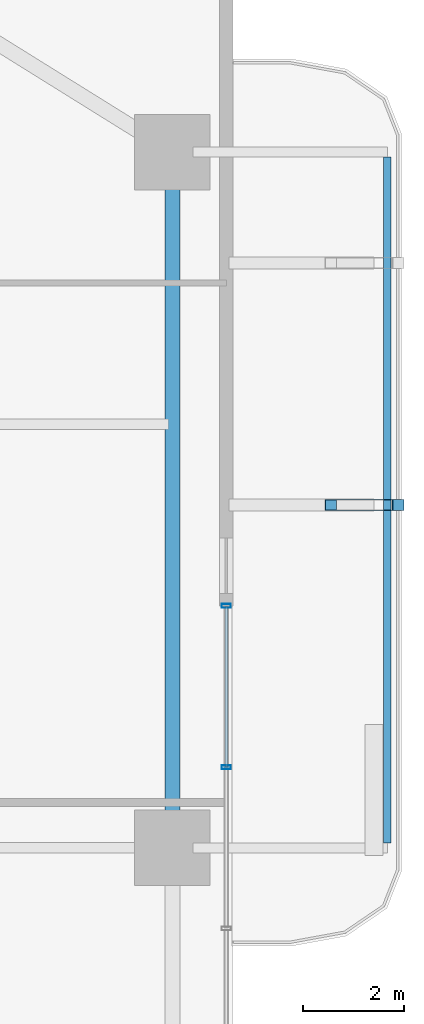
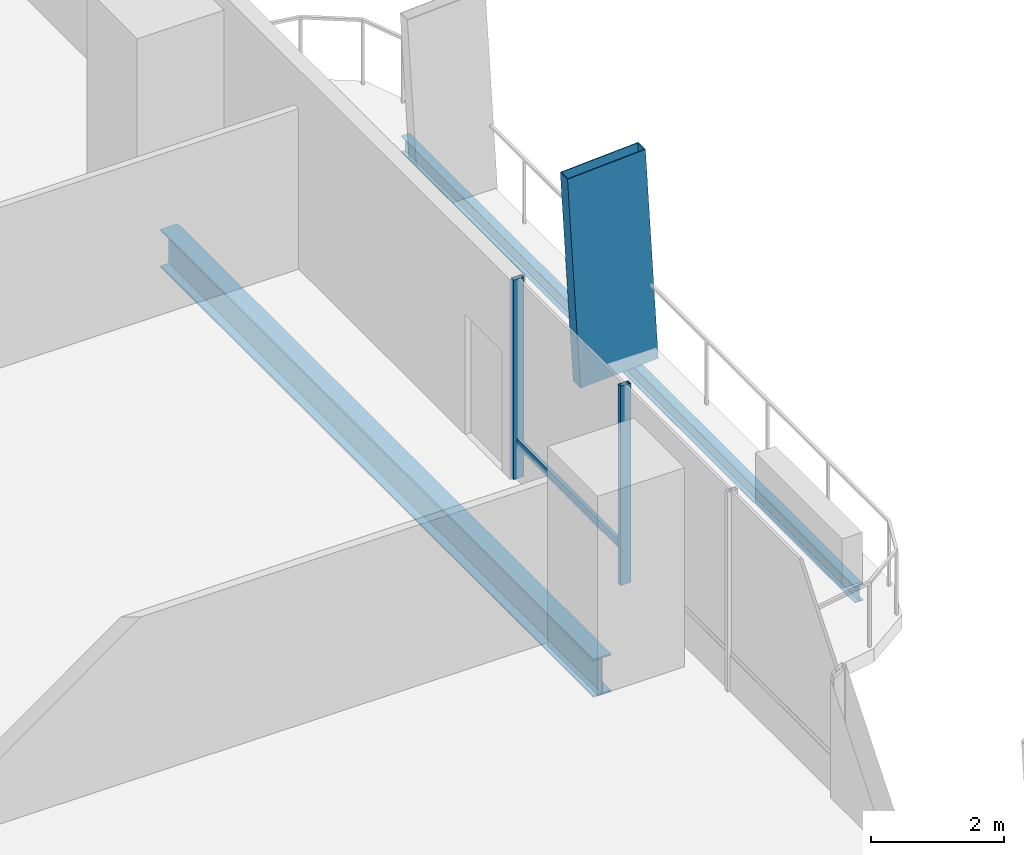
# One storey, part 13 of 24: 4 members, 2 beams, 1 element without a shape of its own.
"""IFC4 building model written with IfcOpenShell, lengths in metres."""

from ifc_helpers import new_model, si_unit, direction, frame, origin, origin_2d, place, context, subcontext, project, spatial, hollow_rectangle, i_section, extrude, material, layer, layer_set, material_profile, profile_set, type_object, element, aggregate, save


model = new_model("IFC4")

# Units and contexts
model_context = context("Model", 3, precision=1e-05, world=origin(), true_north=direction((0.0, 1.0)))
body_context = subcontext(model_context, "Body", "Model", "MODEL_VIEW")
ifc_project = project(units=[si_unit("LENGTHUNIT", "METRE"), si_unit("AREAUNIT", "SQUARE_METRE"), si_unit("VOLUMEUNIT", "CUBIC_METRE"), si_unit("PLANEANGLEUNIT", "RADIAN"), si_unit("MASSUNIT", "GRAM", prefix="KILO")], contexts=[model_context])

# Site, building, storey
site_placement = place(None, origin())
site = spatial("IfcSite", under=ifc_project, at=site_placement, CompositionType="ELEMENT")
building_placement = place(site_placement, origin())
building = spatial("IfcBuilding", under=site, at=building_placement, Name="Belovzor Exchange Tower", CompositionType="ELEMENT")
storey_placement = place(building_placement, frame((0.0, 0.0, 45.60009765625)))
storey = spatial("IfcBuildingStorey", under=building, at=storey_placement, Name="L10", CompositionType="ELEMENT", Elevation=45.60009765625)

# Member
ifc_material_1 = material(Name="Extruded Architectural Terracotta on Steel S355 Carrier", Category="masonry")
ifc_material_profile_1 = material_profile(ifc_material_1, hollow_rectangle(XDim=0.219970703125, YDim=1.35009765625, WallThickness=0.013916015625, at=origin_2d()))
ifc_profile_set_1 = profile_set([ifc_material_profile_1], Name="Extruded Architectural Terracotta on Steel S355 Carrier")
member_type_1 = type_object("IfcMemberType", Name="Base Arc Sweeping Terracotta Pylon Fin 1450", PredefinedType="USERDEFINED", material=ifc_profile_set_1)
member_1_placement = place(storey_placement, frame((59.4208984375, 35.60009765625, -0.25), z_axis=(-0.057062249796, 0.0, 0.998370622388), x_axis=(0.0, -1.0, 0.0)))
element("IfcMember", 1, at=member_1_placement, inside=storey, type_object=member_type_1, Name="FIN-TC145 Terracotta Facade Fin L10 E3", ObjectType="FIN", PredefinedType="USERDEFINED", context=body_context, shape_type="SweptSolid", body=[
    extrude(hollow_rectangle(XDim=0.219970703125, YDim=1.35009765625, WallThickness=0.013916015625, at=origin_2d()), origin(), (0.0, 0.0, 1.0), 3.90625),
])

# Beam
ifc_material_2 = material(Name="Steel S355", Category="steel")
ifc_material_profile_2 = material_profile(ifc_material_2, i_section(OverallWidth=0.14990234375, OverallDepth=0.300048828125, WebThickness=0.007080078125, FlangeThickness=0.0107421875, at=origin_2d()))
ifc_profile_set_2 = profile_set([ifc_material_profile_2], Name="Steel S355")
beam_type_1 = type_object("IfcBeamType", Name="Planted Balcony Fascia Edge Beam IPE 300", PredefinedType="BEAM", material=ifc_profile_set_2)
beam_1_placement = place(storey_placement, frame((59.762939453125, 28.89990234375, -0.400146484375), z_axis=(0.0, 1.0, 0.0), x_axis=(-1.0, 0.0, 0.0)))
element("IfcBeam", 2, at=beam_1_placement, inside=storey, type_object=beam_type_1, Name="BC-300 Planted Balcony Fascia Edge Beam IPE 300", PredefinedType="BEAM", context=body_context, shape_type="SweptSolid", body=[
    extrude(i_section(OverallWidth=0.14990234375, OverallDepth=0.300048828125, WebThickness=0.007080078125, FlangeThickness=0.0107421875, at=origin_2d()), origin(), (0.0, 0.0, 1.0), 13.60009765625),
])

# Curtain wall, members
ifc_material_3 = material(Name="Anodised Aluminium Framing", Category="aluminium")
ifc_layer = layer(ifc_material_3, 0.179931640625)
ifc_layer_set = layer_set([ifc_layer], Name="Anodised Aluminium Framing")
curtain_wall_type = type_object("IfcCurtainWallType", Name="Recessed Loggia Low-Iron Triple-Glazed Curtain Wall", PredefinedType="NOTDEFINED", material=ifc_layer_set)
curtain_wall_placement = place(storey_placement, origin())
curtain_wall = element("IfcCurtainWall", 3, at=curtain_wall_placement, inside=storey, type_object=curtain_wall_type, Name="CW3 Recessed Loggia Low-Iron Triple-Glazed Curtain Wall L10", PredefinedType="NOTDEFINED")
ifc_material_4 = material(Name="Steel S355", Category="steel")
ifc_material_profile_3 = material_profile(ifc_material_4, hollow_rectangle(XDim=0.074951171875, YDim=0.179931640625, WallThickness=0.0048828125, at=origin_2d()))
ifc_profile_set_3 = profile_set([ifc_material_profile_3], Name="Steel S355")
member_type_2 = type_object("IfcMemberType", Name="Thermally Broken Curtain Wall Mullion 180x75", PredefinedType="MULLION", material=ifc_profile_set_3)
member_2_placement = place(storey_placement, frame((56.570068359375, 33.60009765625, 0.0), z_axis=(0.0, 0.0, 1.0), x_axis=(0.0, -1.0, 0.0)))
member_2 = element("IfcMember", 4, at=member_2_placement, type_object=member_type_2, Name="CW-M180 Curtain Wall Mullion 1", PredefinedType="MULLION", context=body_context, shape_type="SweptSolid", body=[
    extrude(hollow_rectangle(XDim=0.074951171875, YDim=0.179931640625, WallThickness=0.0048828125, at=origin_2d()), origin(), (0.0, 0.0, 1.0), 3.64990234375),
])
member_3_placement = place(storey_placement, frame((56.570068359375, 30.39990234375, 0.0), z_axis=(0.0, 0.0, 1.0), x_axis=(0.0, -1.0, 0.0)))
member_3 = element("IfcMember", 5, at=member_3_placement, type_object=member_type_2, Name="CW-M180 Curtain Wall Mullion 2", PredefinedType="MULLION", context=body_context, shape_type="SweptSolid", body=[
    extrude(hollow_rectangle(XDim=0.074951171875, YDim=0.179931640625, WallThickness=0.0048828125, at=origin_2d()), origin(), (0.0, 0.0, 1.0), 3.64990234375),
])
ifc_material_5 = material(Name="Steel S355", Category="steel")
ifc_material_profile_4 = material_profile(ifc_material_5, hollow_rectangle(XDim=0.06005859375, YDim=0.14990234375, WallThickness=0.00390625, at=origin_2d()))
ifc_profile_set_4 = profile_set([ifc_material_profile_4], Name="Steel S355")
member_type_3 = type_object("IfcMemberType", Name="Thermally Broken Curtain Wall Transom 150x60", PredefinedType="USERDEFINED", material=ifc_profile_set_4)
member_4_placement = place(storey_placement, frame((56.570068359375, 33.592041015625, 0.64990234375), z_axis=(0.0, -1.0, 0.0), x_axis=(1.0, 0.0, 0.0)))
member_4 = element("IfcMember", 6, at=member_4_placement, type_object=member_type_3, Name="CW-T150 Curtain Wall Transom 1", ObjectType="TRANSOM", PredefinedType="USERDEFINED", context=body_context, shape_type="SweptSolid", body=[
    extrude(hollow_rectangle(XDim=0.06005859375, YDim=0.14990234375, WallThickness=0.00390625, at=origin_2d()), origin(), (0.0, 0.0, 1.0), 3.18408203125),
])
aggregate(curtain_wall, [member_2, member_3, member_4])

# Beam
ifc_material_6 = material(Name="Steel S355", Category="steel")
ifc_material_profile_5 = material_profile(ifc_material_6, i_section(OverallWidth=0.300048828125, OverallDepth=0.699951171875, WebThickness=0.01708984375, FlangeThickness=0.031982421875, at=origin_2d()))
ifc_profile_set_5 = profile_set([ifc_material_profile_5], Name="Steel S355")
beam_type_2 = type_object("IfcBeamType", Name="Zone 1 Primary Perimeter Girder HEB 700", PredefinedType="BEAM", material=ifc_profile_set_5)
beam_2_placement = place(storey_placement, frame((55.5, 29.212890625, -0.60009765625), z_axis=(0.0, 1.0, 0.0), x_axis=(-1.0, 0.0, 0.0)))
element("IfcBeam", 7, at=beam_2_placement, inside=storey, type_object=beam_type_2, Name="FG-Z1 Zone 1 Primary Perimeter Girder HEB 700", PredefinedType="BEAM", context=body_context, shape_type="SweptSolid", body=[
    extrude(i_section(OverallWidth=0.300048828125, OverallDepth=0.699951171875, WebThickness=0.01708984375, FlangeThickness=0.031982421875, at=origin_2d()), origin(), (0.0, 0.0, 1.0), 12.97509765625),
])

save(model, "model.ifc")
